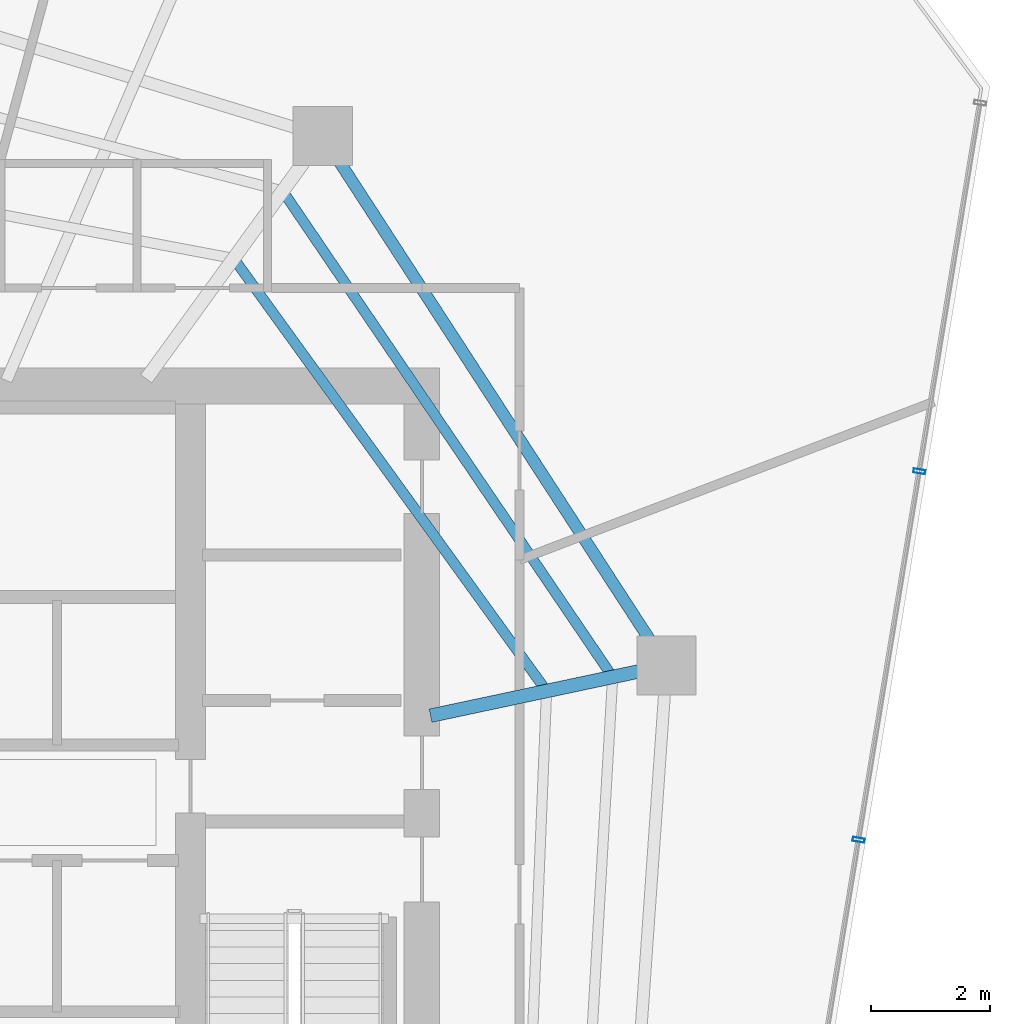
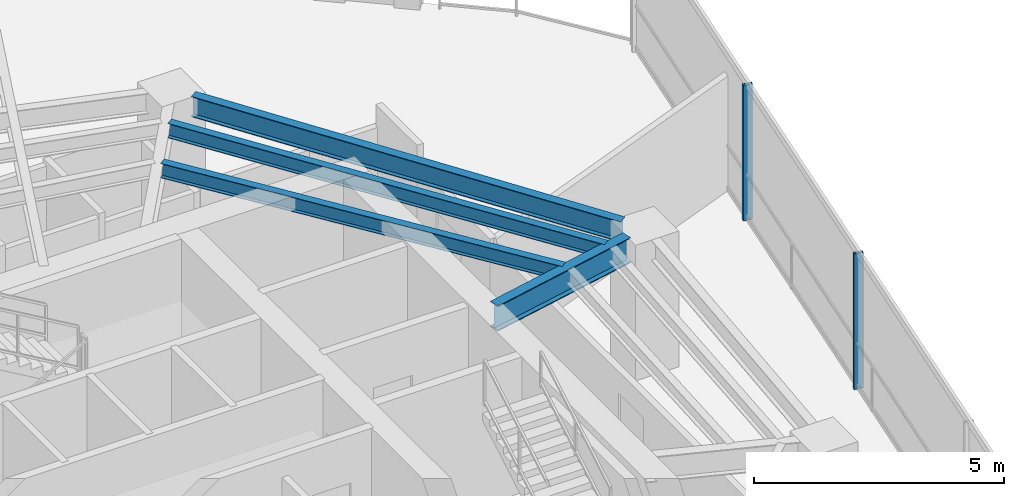
# One storey, part 9 of 19: 4 beams, 2 members, 1 element without a shape of its own.
"""IFC4 building model written with IfcOpenShell, lengths in metres."""

from ifc_helpers import new_model, si_unit, direction, frame, origin, origin_2d, place, context, subcontext, project, spatial, hollow_rectangle, i_section, extrude, material, layer, layer_set, material_profile, profile_set, type_object, element, aggregate, save


model = new_model("IFC4")

# Units and contexts
model_context = context("Model", 3, precision=1e-05, world=origin(), true_north=direction((0.0, 1.0)))
body_context = subcontext(model_context, "Body", "Model", "MODEL_VIEW")
ifc_project = project(units=[si_unit("LENGTHUNIT", "METRE"), si_unit("AREAUNIT", "SQUARE_METRE"), si_unit("VOLUMEUNIT", "CUBIC_METRE"), si_unit("PLANEANGLEUNIT", "RADIAN"), si_unit("MASSUNIT", "GRAM", prefix="KILO")], contexts=[model_context])

# Site, building, storey
site_placement = place(None, origin())
site = spatial("IfcSite", under=ifc_project, at=site_placement, CompositionType="ELEMENT")
building_placement = place(site_placement, origin())
building = spatial("IfcBuilding", under=site, at=building_placement, Name="Qarnah Convention Tower", CompositionType="ELEMENT")
storey_placement = place(building_placement, frame((0.0, 0.0, 143.699951171875)))
storey = spatial("IfcBuildingStorey", under=building, at=storey_placement, Name="L38", CompositionType="ELEMENT", Elevation=143.699951171875)

# Beams
ifc_material_1 = material(Name="Structural steel S355JR", Category="steel")
ifc_material_profile_1 = material_profile(ifc_material_1, i_section(OverallWidth=0.172119140625, OverallDepth=0.35595703125, WebThickness=0.007080078125, FlangeThickness=0.011962890625, at=origin_2d()), Name="W360X51")
ifc_profile_set_1 = profile_set([ifc_material_profile_1], Name="Structural steel S355JR")
beam_type_1 = type_object("IfcBeamType", Name="BM-JST-W360", PredefinedType="JOIST", material=ifc_profile_set_1)
beam_1_placement = place(storey_placement, frame((50.76708984375, 29.367919921875, 3.14208984375), z_axis=(-0.561639559015, 0.827382019233, 0.0), x_axis=(-0.827382019233, -0.561639559015, 0.0)))
element("IfcBeam", 1, at=beam_1_placement, inside=storey, type_object=beam_type_1, Name="L38 joist BM-L38-SJST-01", PredefinedType="JOIST", context=body_context, shape_type="SweptSolid", body=[
    extrude(i_section(OverallWidth=0.172119140625, OverallDepth=0.35595703125, WebThickness=0.007080078125, FlangeThickness=0.011962890625, at=origin_2d()), origin(), (0.0, 0.0, 1.0), 9.7236328125),
])
beam_2_placement = place(storey_placement, frame((49.65087890625, 29.1298828125, 3.14208984375), z_axis=(-0.586082668217, 0.810251261039, 0.0), x_axis=(-0.810251261039, -0.586082668217, 0.0)))
element("IfcBeam", 2, at=beam_2_placement, inside=storey, type_object=beam_type_1, Name="L38 joist BM-L38-IJST-01", PredefinedType="JOIST", context=body_context, shape_type="SweptSolid", body=[
    extrude(i_section(OverallWidth=0.172119140625, OverallDepth=0.35595703125, WebThickness=0.007080078125, FlangeThickness=0.011962890625, at=origin_2d()), origin(), (0.0, 0.0, 1.0), 8.819580078125),
])
ifc_material_profile_2 = material_profile(ifc_material_1, i_section(OverallWidth=0.22998046875, OverallDepth=0.617919921875, WebThickness=0.012939453125, FlangeThickness=0.02197265625, at=origin_2d()), Name="W610X140")
ifc_profile_set_2 = profile_set([ifc_material_profile_2], Name="Structural steel S355JR")
beam_type_2 = type_object("IfcBeamType", Name="BM-RAD-W610A", PredefinedType="BEAM", material=ifc_profile_set_2)
beam_3_placement = place(storey_placement, frame((47.7470703125, 28.64111328125, 3.010986328125), z_axis=(0.978133929389, 0.207975999045, 0.0), x_axis=(-0.207975999045, 0.978133929389, 0.0)))
element("IfcBeam", 3, at=beam_3_placement, inside=storey, type_object=beam_type_2, Name="L38 beam BM-L38-RAD-01", PredefinedType="BEAM", context=body_context, shape_type="SweptSolid", body=[
    extrude(i_section(OverallWidth=0.22998046875, OverallDepth=0.617919921875, WebThickness=0.012939453125, FlangeThickness=0.02197265625, at=origin_2d()), origin(), (0.0, 0.0, 1.0), 3.586181640625),
])
ifc_material_profile_3 = material_profile(ifc_material_1, i_section(OverallWidth=0.199951171875, OverallDepth=0.5, WebThickness=0.010009765625, FlangeThickness=0.01611328125, at=origin_2d()), Name="IPE500")
ifc_profile_set_3 = profile_set([ifc_material_profile_3], Name="Structural steel S355JR")
beam_type_3 = type_object("IfcBeamType", Name="BM-SPN-IPE500", PredefinedType="SPANDREL", material=ifc_profile_set_3)
beam_4_placement = place(storey_placement, frame((51.4580078125, 29.89794921875, 3.070068359375), z_axis=(-0.544531816504, 0.838740186717, 0.0), x_axis=(-0.838740186717, -0.544531816504, 0.0)))
element("IfcBeam", 4, at=beam_4_placement, inside=storey, type_object=beam_type_3, Name="L38 spandrel BM-L38-SPN-01", PredefinedType="SPANDREL", context=body_context, shape_type="SweptSolid", body=[
    extrude(i_section(OverallWidth=0.199951171875, OverallDepth=0.5, WebThickness=0.010009765625, FlangeThickness=0.01611328125, at=origin_2d()), origin(), (0.0, 0.0, 1.0), 9.663330078125),
])

# Curtain wall, members
ifc_material_2 = material(Name="Tempered Low-E dark glass", Category="glass")
ifc_layer = layer(ifc_material_2, 0.172119140625)
ifc_layer_set = layer_set([ifc_layer], Name="Tempered Low-E dark glass")
curtain_wall_type = type_object("IfcCurtainWallType", Name="CWS-03", PredefinedType="NOTDEFINED", material=ifc_layer_set)
curtain_wall_placement = place(storey_placement, origin())
curtain_wall = element("IfcCurtainWall", 5, at=curtain_wall_placement, inside=storey, type_object=curtain_wall_type, Name="L38 unitised curtain wall CW-L38-F3", PredefinedType="NOTDEFINED")
ifc_material_3 = material(Name="Black anodised aluminium", Category="aluminium")
ifc_material_profile_4 = material_profile(ifc_material_3, hollow_rectangle(XDim=0.070068359375, YDim=0.199951171875, WallThickness=0.0048828125, at=origin_2d()), Name="MUL-70X200")
ifc_profile_set_4 = profile_set([ifc_material_profile_4], Name="Black anodised aluminium")
member_type = type_object("IfcMemberType", Name="MUL-T3", PredefinedType="MULLION", material=ifc_profile_set_4)
member_1_placement = place(storey_placement, frame((55.988037109375, 32.76025390625, 0.0), z_axis=(0.0, 0.0, 1.0), x_axis=(-0.162652354026, -0.986683440486, 0.0)))
member_1 = element("IfcMember", 6, at=member_1_placement, type_object=member_type, Name="CW-L38-F3 mullion 2", PredefinedType="MULLION", context=body_context, shape_type="SweptSolid", body=[
    extrude(hollow_rectangle(XDim=0.070068359375, YDim=0.199951171875, WallThickness=0.0048828125, at=origin_2d()), origin(), (0.0, 0.0, 1.0), 3.320068359375),
])
member_2_placement = place(storey_placement, frame((54.964111328125, 26.54833984375, 0.0), z_axis=(0.0, 0.0, 1.0), x_axis=(-0.162652354026, -0.986683440486, 0.0)))
member_2 = element("IfcMember", 7, at=member_2_placement, type_object=member_type, Name="CW-L38-F3 mullion 3", PredefinedType="MULLION", context=body_context, shape_type="SweptSolid", body=[
    extrude(hollow_rectangle(XDim=0.070068359375, YDim=0.199951171875, WallThickness=0.0048828125, at=origin_2d()), origin(), (0.0, 0.0, 1.0), 3.320068359375),
])
aggregate(curtain_wall, [member_1, member_2])

save(model, "model.ifc")
